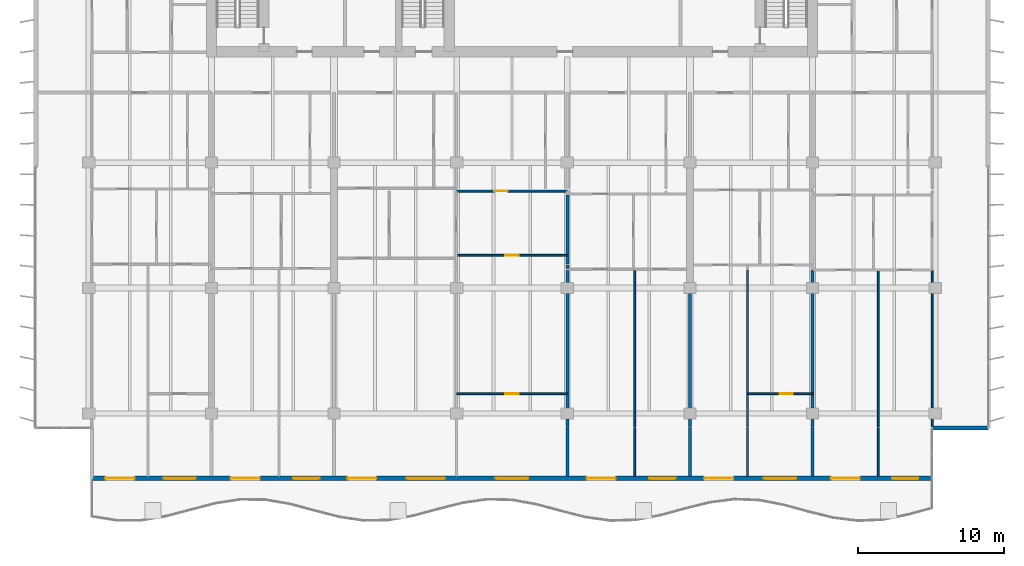
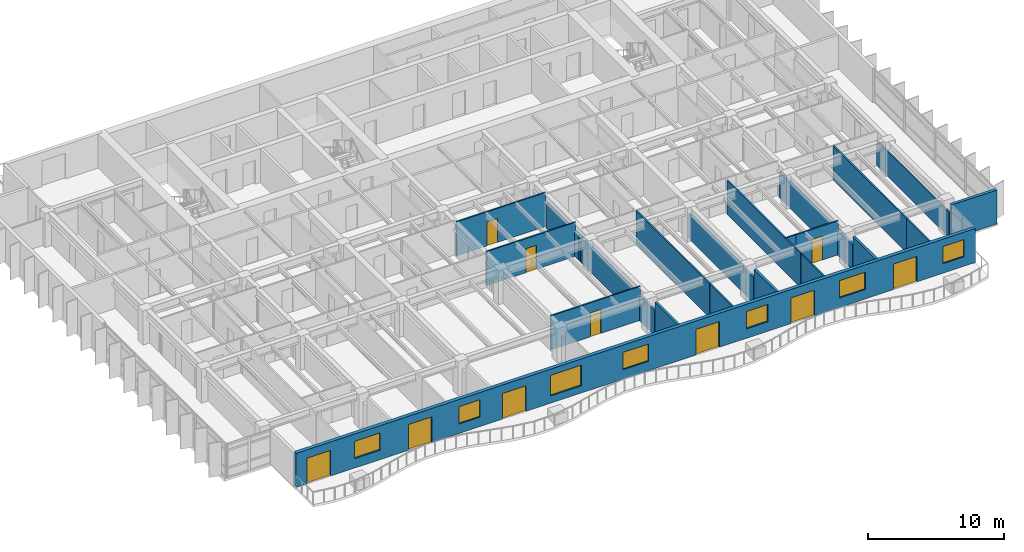
# One storey, part 10 of 19: 22 walls, 10 doors, 7 windows, 17 openings.
"""IFC4 building model written with IfcOpenShell, lengths in metres."""

from ifc_helpers import new_model, si_unit, direction, frame, frame_2d, origin, place, context, subcontext, project, spatial, rectangle, extrude, material, layer, layer_set, type_object, element, fill, save


model = new_model("IFC4")

# Units and contexts
model_context = context("Model", 3, precision=1e-05, world=origin(), true_north=direction((0.0, 1.0)))
body_context = subcontext(model_context, "Body", "Model", "MODEL_VIEW")
ifc_project = project(units=[si_unit("LENGTHUNIT", "METRE"), si_unit("AREAUNIT", "SQUARE_METRE"), si_unit("VOLUMEUNIT", "CUBIC_METRE"), si_unit("PLANEANGLEUNIT", "RADIAN"), si_unit("MASSUNIT", "GRAM", prefix="KILO")], contexts=[model_context])

# Site, building, storey
site_placement = place(None, origin())
site = spatial("IfcSite", under=ifc_project, at=site_placement, CompositionType="ELEMENT")
building_placement = place(site_placement, origin())
building = spatial("IfcBuilding", under=site, at=building_placement, Name="Caelmar Bay Residences", CompositionType="ELEMENT")
storey_placement = place(building_placement, frame((0.0, 0.0, 160.5)))
storey = spatial("IfcBuildingStorey", under=building, at=storey_placement, Name="L44", CompositionType="ELEMENT", Elevation=160.5)

# Wall
ifc_material_1 = material(Name="Precast concrete f'c 40 MPa (6,000 psi)", Category="concrete")
ifc_layer_1 = layer(ifc_material_1, 0.25)
ifc_layer_set_1 = layer_set([ifc_layer_1], Name="Precast concrete f'c 40 MPa (6,000 psi)")
wall_type_1 = type_object("IfcWallType", Name="W-EXT-250", PredefinedType="ELEMENTEDWALL", material=ifc_layer_set_1)
wall_1_placement = place(storey_placement, frame((67.699951171875, 11.199951171875, 0.0), z_axis=(0.0, 0.0, 1.0), x_axis=(1.0, 0.0, 0.0)))
element("IfcWall", 1, at=wall_1_placement, inside=storey, type_object=wall_type_1, Name="L44 SE Notch Return Wall", PredefinedType="ELEMENTEDWALL", context=body_context, shape_type="SweptSolid", body=[
    extrude(rectangle(XDim=3.85009765625, YDim=0.25, at=frame_2d((1.925048828125, 0.0))), origin(), (0.0, 0.0, 1.0), 3.050048828125),
])

# Wall, openings, doors, windows
ifc_layer_2 = layer(ifc_material_1, 0.300048828125)
ifc_layer_set_2 = layer_set([ifc_layer_2], Name="Precast concrete f'c 40 MPa (6,000 psi)")
wall_type_2 = type_object("IfcWallType", Name="W-EXT-300", PredefinedType="STANDARD", material=ifc_layer_set_2)
wall_2_placement = place(storey_placement, frame((67.699951171875, 7.75, 0.0), z_axis=(0.0, 0.0, 1.0), x_axis=(-1.0, 0.0, 0.0)))
wall_2 = element("IfcWall", 2, at=wall_2_placement, inside=storey, type_object=wall_type_2, Name="L44 South Bayfront Exterior Wall", PredefinedType="STANDARD", context=body_context, shape_type="SweptSolid", body=[
    extrude(rectangle(XDim=57.599853515625, YDim=0.300048828125, at=frame_2d((28.7998046875, 0.0))), origin(), (0.0, 0.0, 1.0), 3.050048828125),
])
opening_1_placement = place(wall_2_placement, frame((54.673095703125, 0.0, 0.0)))
opening_1 = element("IfcOpeningElement", 3, at=opening_1_placement, cuts=wall_2, Name="Opening L44-BD01", PredefinedType="OPENING", context=body_context, shape_type="SweptSolid", body=[
    extrude(rectangle(XDim=2.0, YDim=2.300048828125, at=frame_2d((1.0, 1.14990234375))), frame((0.0, 0.159912109375, 0.0), z_axis=(0.0, -1.0, 0.0), x_axis=(1.0, 0.0, 0.0)), (0.0, 0.0, 1.0), 0.320068359375),
])
opening_2_placement = place(wall_2_placement, frame((50.472900390625, 0.0, 0.85009765625)))
opening_2 = element("IfcOpeningElement", 4, at=opening_2_placement, cuts=wall_2, Name="Opening WN2", PredefinedType="OPENING", context=body_context, shape_type="SweptSolid", body=[
    extrude(rectangle(XDim=2.199951171875, YDim=1.550048828125, at=frame_2d((1.10009765625, 0.77490234375))), frame((0.0, 0.159912109375, 0.0), z_axis=(0.0, -1.0, 0.0), x_axis=(1.0, 0.0, 0.0)), (0.0, 0.0, 1.0), 0.320068359375),
])
opening_3_placement = place(wall_2_placement, frame((46.090087890625, 0.0, 0.0)))
opening_3 = element("IfcOpeningElement", 5, at=opening_3_placement, cuts=wall_2, Name="Opening L44-BD02", PredefinedType="OPENING", context=body_context, shape_type="SweptSolid", body=[
    extrude(rectangle(XDim=2.0, YDim=2.300048828125, at=frame_2d((1.0, 1.14990234375))), frame((0.0, 0.159912109375, 0.0), z_axis=(0.0, -1.0, 0.0), x_axis=(1.0, 0.0, 0.0)), (0.0, 0.0, 1.0), 0.320068359375),
])
opening_4_placement = place(wall_2_placement, frame((41.989990234375, 0.0, 0.85009765625)))
opening_4 = element("IfcOpeningElement", 6, at=opening_4_placement, cuts=wall_2, Name="Opening WN1", PredefinedType="OPENING", context=body_context, shape_type="SweptSolid", body=[
    extrude(rectangle(XDim=1.800048828125, YDim=1.550048828125, at=frame_2d((0.89990234375, 0.77490234375))), frame((0.0, 0.159912109375, 0.0), z_axis=(0.0, -1.0, 0.0), x_axis=(1.0, 0.0, 0.0)), (0.0, 0.0, 1.0), 0.320068359375),
])
opening_5_placement = place(wall_2_placement, frame((38.090087890625, 0.0, 0.0)))
opening_5 = element("IfcOpeningElement", 7, at=opening_5_placement, cuts=wall_2, Name="Opening L44-BD03", PredefinedType="OPENING", context=body_context, shape_type="SweptSolid", body=[
    extrude(rectangle(XDim=2.0, YDim=2.300048828125, at=frame_2d((1.0, 1.14990234375))), frame((0.0, 0.159912109375, 0.0), z_axis=(0.0, -1.0, 0.0), x_axis=(1.0, 0.0, 0.0)), (0.0, 0.0, 1.0), 0.320068359375),
])
opening_6_placement = place(wall_2_placement, frame((33.409912109375, 0.0, 0.64990234375)))
opening_6 = element("IfcOpeningElement", 8, at=opening_6_placement, cuts=wall_2, Name="Opening WN3", PredefinedType="OPENING", context=body_context, shape_type="SweptSolid", body=[
    extrude(rectangle(XDim=2.60009765625, YDim=1.85009765625, at=frame_2d((1.300048828125, 0.925048828125))), frame((0.0, 0.159912109375, 0.0), z_axis=(0.0, -1.0, 0.0), x_axis=(1.0, 0.0, 0.0)), (0.0, 0.0, 1.0), 0.320068359375),
])
opening_7_placement = place(wall_2_placement, frame((27.699951171875, 0.0, 0.85009765625)))
opening_7 = element("IfcOpeningElement", 9, at=opening_7_placement, cuts=wall_2, Name="Opening WN2", PredefinedType="OPENING", context=body_context, shape_type="SweptSolid", body=[
    extrude(rectangle(XDim=2.199951171875, YDim=1.550048828125, at=frame_2d((1.10009765625, 0.77490234375))), frame((0.0, 0.159912109375, 0.0), z_axis=(0.0, -1.0, 0.0), x_axis=(1.0, 0.0, 0.0)), (0.0, 0.0, 1.0), 0.320068359375),
])
opening_8_placement = place(wall_2_placement, frame((21.68994140625, 0.0, 0.0)))
opening_8 = element("IfcOpeningElement", 10, at=opening_8_placement, cuts=wall_2, Name="Opening L44-BD04", PredefinedType="OPENING", context=body_context, shape_type="SweptSolid", body=[
    extrude(rectangle(XDim=2.0, YDim=2.300048828125, at=frame_2d((1.0, 1.14990234375))), frame((0.0, 0.159912109375, 0.0), z_axis=(0.0, -1.0, 0.0), x_axis=(1.0, 0.0, 0.0)), (0.0, 0.0, 1.0), 0.320068359375),
])
opening_9_placement = place(wall_2_placement, frame((17.590087890625, 0.0, 0.85009765625)))
opening_9 = element("IfcOpeningElement", 11, at=opening_9_placement, cuts=wall_2, Name="Opening WN1", PredefinedType="OPENING", context=body_context, shape_type="SweptSolid", body=[
    extrude(rectangle(XDim=1.800048828125, YDim=1.550048828125, at=frame_2d((0.89990234375, 0.77490234375))), frame((0.0, 0.159912109375, 0.0), z_axis=(0.0, -1.0, 0.0), x_axis=(1.0, 0.0, 0.0)), (0.0, 0.0, 1.0), 0.320068359375),
])
opening_10_placement = place(wall_2_placement, frame((13.6259765625, 0.0, 0.0)))
opening_10 = element("IfcOpeningElement", 12, at=opening_10_placement, cuts=wall_2, Name="Opening L44-BD05", PredefinedType="OPENING", context=body_context, shape_type="SweptSolid", body=[
    extrude(rectangle(XDim=2.0, YDim=2.300048828125, at=frame_2d((1.0, 1.14990234375))), frame((0.0, 0.159912109375, 0.0), z_axis=(0.0, -1.0, 0.0), x_axis=(1.0, 0.0, 0.0)), (0.0, 0.0, 1.0), 0.320068359375),
])
opening_11_placement = place(wall_2_placement, frame((9.325927734375, 0.0, 0.85009765625)))
opening_11 = element("IfcOpeningElement", 13, at=opening_11_placement, cuts=wall_2, Name="Opening WN2", PredefinedType="OPENING", context=body_context, shape_type="SweptSolid", body=[
    extrude(rectangle(XDim=2.199951171875, YDim=1.550048828125, at=frame_2d((1.10009765625, 0.77490234375))), frame((0.0, 0.159912109375, 0.0), z_axis=(0.0, -1.0, 0.0), x_axis=(1.0, 0.0, 0.0)), (0.0, 0.0, 1.0), 0.320068359375),
])
opening_12_placement = place(wall_2_placement, frame((4.945068359375, 0.0, 0.0)))
opening_12 = element("IfcOpeningElement", 14, at=opening_12_placement, cuts=wall_2, Name="Opening L44-BD06", PredefinedType="OPENING", context=body_context, shape_type="SweptSolid", body=[
    extrude(rectangle(XDim=2.0, YDim=2.300048828125, at=frame_2d((1.0, 1.14990234375))), frame((0.0, 0.159912109375, 0.0), z_axis=(0.0, -1.0, 0.0), x_axis=(1.0, 0.0, 0.0)), (0.0, 0.0, 1.0), 0.320068359375),
])
opening_13_placement = place(wall_2_placement, frame((0.945068359375, 0.0, 0.85009765625)))
opening_13 = element("IfcOpeningElement", 15, at=opening_13_placement, cuts=wall_2, Name="Opening WN1", PredefinedType="OPENING", context=body_context, shape_type="SweptSolid", body=[
    extrude(rectangle(XDim=1.800048828125, YDim=1.550048828125, at=frame_2d((0.89990234375, 0.77490234375))), frame((0.0, 0.159912109375, 0.0), z_axis=(0.0, -1.0, 0.0), x_axis=(1.0, 0.0, 0.0)), (0.0, 0.0, 1.0), 0.320068359375),
])
ifc_material_2 = material(Name="Anodised bronze thermally broken sliding glass door", Category="glass")
ifc_layer_3 = layer(ifc_material_2, 0.050048828125)
ifc_layer_set_3 = layer_set([ifc_layer_3], Name="Anodised bronze thermally broken sliding glass door")
door_type_1 = type_object("IfcDoorType", Name="D-BAL-2000", OperationType="DOUBLE_DOOR_SLIDING", PredefinedType="DOOR", material=ifc_layer_set_3)
door_1_placement = place(opening_1_placement, origin())
door_1 = element("IfcDoor", 16, at=door_1_placement, inside=storey, type_object=door_type_1, Name="L44 Residence 01 Living Room Balcony Door", OperationType="DOUBLE_DOOR_SLIDING", OverallHeight=2.300048828125, OverallWidth=2.0, PredefinedType="DOOR", context=body_context, shape_type="SweptSolid", body=[
    extrude(rectangle(XDim=2.0, YDim=2.300048828125, at=frame_2d((1.0, 1.14990234375))), frame((0.0, 0.02490234375, 0.0), z_axis=(0.0, -1.0, 0.0), x_axis=(1.0, 0.0, 0.0)), (0.0, 0.0, 1.0), 0.050048828125),
])
fill(opening_1, door_1)
door_2_placement = place(opening_3_placement, origin())
door_2 = element("IfcDoor", 17, at=door_2_placement, inside=storey, type_object=door_type_1, Name="L44 Residence 02 Living Room Balcony Door", OperationType="DOUBLE_DOOR_SLIDING", OverallHeight=2.300048828125, OverallWidth=2.0, PredefinedType="DOOR", context=body_context, shape_type="SweptSolid", body=[
    extrude(rectangle(XDim=2.0, YDim=2.300048828125, at=frame_2d((1.0, 1.14990234375))), frame((0.0, 0.02490234375, 0.0), z_axis=(0.0, -1.0, 0.0), x_axis=(1.0, 0.0, 0.0)), (0.0, 0.0, 1.0), 0.050048828125),
])
fill(opening_3, door_2)
door_3_placement = place(opening_5_placement, origin())
door_3 = element("IfcDoor", 18, at=door_3_placement, inside=storey, type_object=door_type_1, Name="L44 Residence 03 Penthouse Living Salon Balcony Door", OperationType="DOUBLE_DOOR_SLIDING", OverallHeight=2.300048828125, OverallWidth=2.0, PredefinedType="DOOR", context=body_context, shape_type="SweptSolid", body=[
    extrude(rectangle(XDim=2.0, YDim=2.300048828125, at=frame_2d((1.0, 1.14990234375))), frame((0.0, 0.02490234375, 0.0), z_axis=(0.0, -1.0, 0.0), x_axis=(1.0, 0.0, 0.0)), (0.0, 0.0, 1.0), 0.050048828125),
])
fill(opening_5, door_3)
door_4_placement = place(opening_8_placement, origin())
door_4 = element("IfcDoor", 19, at=door_4_placement, inside=storey, type_object=door_type_1, Name="L44 Residence 04 Living Room Balcony Door", OperationType="DOUBLE_DOOR_SLIDING", OverallHeight=2.300048828125, OverallWidth=2.0, PredefinedType="DOOR", context=body_context, shape_type="SweptSolid", body=[
    extrude(rectangle(XDim=2.0, YDim=2.300048828125, at=frame_2d((1.0, 1.14990234375))), frame((0.0, 0.02490234375, 0.0), z_axis=(0.0, -1.0, 0.0), x_axis=(1.0, 0.0, 0.0)), (0.0, 0.0, 1.0), 0.050048828125),
])
fill(opening_8, door_4)
door_5_placement = place(opening_10_placement, origin())
door_5 = element("IfcDoor", 20, at=door_5_placement, inside=storey, type_object=door_type_1, Name="L44 Residence 05 Living Room Balcony Door", OperationType="DOUBLE_DOOR_SLIDING", OverallHeight=2.300048828125, OverallWidth=2.0, PredefinedType="DOOR", context=body_context, shape_type="SweptSolid", body=[
    extrude(rectangle(XDim=2.0, YDim=2.300048828125, at=frame_2d((1.0, 1.14990234375))), frame((0.0, 0.02490234375, 0.0), z_axis=(0.0, -1.0, 0.0), x_axis=(1.0, 0.0, 0.0)), (0.0, 0.0, 1.0), 0.050048828125),
])
fill(opening_10, door_5)
door_6_placement = place(opening_12_placement, origin())
door_6 = element("IfcDoor", 21, at=door_6_placement, inside=storey, type_object=door_type_1, Name="L44 Residence 06 Living Room Balcony Door", OperationType="DOUBLE_DOOR_SLIDING", OverallHeight=2.300048828125, OverallWidth=2.0, PredefinedType="DOOR", context=body_context, shape_type="SweptSolid", body=[
    extrude(rectangle(XDim=2.0, YDim=2.300048828125, at=frame_2d((1.0, 1.14990234375))), frame((0.0, 0.02490234375, 0.0), z_axis=(0.0, -1.0, 0.0), x_axis=(1.0, 0.0, 0.0)), (0.0, 0.0, 1.0), 0.050048828125),
])
fill(opening_12, door_6)
ifc_material_3 = material(Name="Bronze aluminium frame with laminated low-E glass", Category="aluminium")
ifc_layer_4 = layer(ifc_material_3, 0.06005859375)
ifc_layer_set_4 = layer_set([ifc_layer_4], Name="Bronze aluminium frame with laminated low-E glass")
window_type_1 = type_object("IfcWindowType", Name="WIN-BR-1800", PartitioningType="SINGLE_PANEL", PredefinedType="WINDOW", material=ifc_layer_set_4)
window_1_placement = place(opening_4_placement, origin())
window_1 = element("IfcWindow", 22, at=window_1_placement, inside=storey, type_object=window_type_1, Name="L44 Residence 02 Primary Bedroom Window", OverallHeight=1.550048828125, OverallWidth=1.800048828125, PartitioningType="SINGLE_PANEL", PredefinedType="WINDOW", context=body_context, shape_type="SweptSolid", body=[
    extrude(rectangle(XDim=1.800048828125, YDim=1.550048828125, at=frame_2d((0.89990234375, 0.77490234375))), frame((0.0, 0.030029296875, 0.0), z_axis=(0.0, -1.0, 0.0), x_axis=(1.0, 0.0, 0.0)), (0.0, 0.0, 1.0), 0.06005859375),
])
fill(opening_4, window_1)
window_2_placement = place(opening_9_placement, origin())
window_2 = element("IfcWindow", 23, at=window_2_placement, inside=storey, type_object=window_type_1, Name="L44 Residence 04 Primary Bedroom Window", OverallHeight=1.550048828125, OverallWidth=1.800048828125, PartitioningType="SINGLE_PANEL", PredefinedType="WINDOW", context=body_context, shape_type="SweptSolid", body=[
    extrude(rectangle(XDim=1.800048828125, YDim=1.550048828125, at=frame_2d((0.89990234375, 0.77490234375))), frame((0.0, 0.030029296875, 0.0), z_axis=(0.0, -1.0, 0.0), x_axis=(1.0, 0.0, 0.0)), (0.0, 0.0, 1.0), 0.06005859375),
])
fill(opening_9, window_2)
window_3_placement = place(opening_13_placement, origin())
window_3 = element("IfcWindow", 24, at=window_3_placement, inside=storey, type_object=window_type_1, Name="L44 Residence 06 Primary Bedroom Window", OverallHeight=1.550048828125, OverallWidth=1.800048828125, PartitioningType="SINGLE_PANEL", PredefinedType="WINDOW", context=body_context, shape_type="SweptSolid", body=[
    extrude(rectangle(XDim=1.800048828125, YDim=1.550048828125, at=frame_2d((0.89990234375, 0.77490234375))), frame((0.0, 0.030029296875, 0.0), z_axis=(0.0, -1.0, 0.0), x_axis=(1.0, 0.0, 0.0)), (0.0, 0.0, 1.0), 0.06005859375),
])
fill(opening_13, window_3)
ifc_layer_5 = layer(ifc_material_3, 0.06005859375)
ifc_layer_set_5 = layer_set([ifc_layer_5], Name="Bronze aluminium frame with laminated low-E glass")
window_type_2 = type_object("IfcWindowType", Name="WIN-BR-2200", PartitioningType="SINGLE_PANEL", PredefinedType="WINDOW", material=ifc_layer_set_5)
window_4_placement = place(opening_2_placement, origin())
window_4 = element("IfcWindow", 25, at=window_4_placement, inside=storey, type_object=window_type_2, Name="L44 Residence 01 Primary Bedroom Window", OverallHeight=1.550048828125, OverallWidth=2.199951171875, PartitioningType="SINGLE_PANEL", PredefinedType="WINDOW", context=body_context, shape_type="SweptSolid", body=[
    extrude(rectangle(XDim=2.199951171875, YDim=1.550048828125, at=frame_2d((1.10009765625, 0.77490234375))), frame((0.0, 0.030029296875, 0.0), z_axis=(0.0, -1.0, 0.0), x_axis=(1.0, 0.0, 0.0)), (0.0, 0.0, 1.0), 0.06005859375),
])
fill(opening_2, window_4)
window_5_placement = place(opening_7_placement, origin())
window_5 = element("IfcWindow", 26, at=window_5_placement, inside=storey, type_object=window_type_2, Name="L44 Residence 03 Primary Bedroom 1 Window", OverallHeight=1.550048828125, OverallWidth=2.199951171875, PartitioningType="SINGLE_PANEL", PredefinedType="WINDOW", context=body_context, shape_type="SweptSolid", body=[
    extrude(rectangle(XDim=2.199951171875, YDim=1.550048828125, at=frame_2d((1.10009765625, 0.77490234375))), frame((0.0, 0.030029296875, 0.0), z_axis=(0.0, -1.0, 0.0), x_axis=(1.0, 0.0, 0.0)), (0.0, 0.0, 1.0), 0.06005859375),
])
fill(opening_7, window_5)
window_6_placement = place(opening_11_placement, origin())
window_6 = element("IfcWindow", 27, at=window_6_placement, inside=storey, type_object=window_type_2, Name="L44 Residence 05 Primary Bedroom Window", OverallHeight=1.550048828125, OverallWidth=2.199951171875, PartitioningType="SINGLE_PANEL", PredefinedType="WINDOW", context=body_context, shape_type="SweptSolid", body=[
    extrude(rectangle(XDim=2.199951171875, YDim=1.550048828125, at=frame_2d((1.10009765625, 0.77490234375))), frame((0.0, 0.030029296875, 0.0), z_axis=(0.0, -1.0, 0.0), x_axis=(1.0, 0.0, 0.0)), (0.0, 0.0, 1.0), 0.06005859375),
])
fill(opening_11, window_6)
ifc_layer_6 = layer(ifc_material_3, 0.06005859375)
ifc_layer_set_6 = layer_set([ifc_layer_6], Name="Bronze aluminium frame with laminated low-E glass")
window_type_3 = type_object("IfcWindowType", Name="WIN-LIV-2600", PartitioningType="SINGLE_PANEL", PredefinedType="WINDOW", material=ifc_layer_set_6)
window_7_placement = place(opening_6_placement, origin())
window_7 = element("IfcWindow", 28, at=window_7_placement, inside=storey, type_object=window_type_3, Name="L44 Residence 03 Penthouse Living Salon Panoramic Window", OverallHeight=1.85009765625, OverallWidth=2.60009765625, PartitioningType="SINGLE_PANEL", PredefinedType="WINDOW", context=body_context, shape_type="SweptSolid", body=[
    extrude(rectangle(XDim=2.60009765625, YDim=1.85009765625, at=frame_2d((1.300048828125, 0.925048828125))), frame((0.0, 0.030029296875, 0.0), z_axis=(0.0, -1.0, 0.0), x_axis=(1.0, 0.0, 0.0)), (0.0, 0.0, 1.0), 0.06005859375),
])
fill(opening_6, window_7)

# Walls
ifc_material_4 = material(Name="Acoustic metal-stud gypsum partition 120 mm")
ifc_layer_7 = layer(ifc_material_4, 0.1201171875)
ifc_layer_set_7 = layer_set([ifc_layer_7], Name="Acoustic metal-stud gypsum partition 120 mm")
wall_type_3 = type_object("IfcWallType", Name="W-PRT-120", PredefinedType="PARTITIONING", material=ifc_layer_set_7)
wall_3_placement = place(storey_placement, frame((47.320068359375, 7.89501953125, 0.0), z_axis=(0.0, 0.0, 1.0), x_axis=(0.0, 1.0, 0.0)))
element("IfcWall", 29, at=wall_3_placement, inside=storey, type_object=wall_type_3, Name="L44 Partition Wall V060", PredefinedType="PARTITIONING", context=body_context, shape_type="SweptSolid", body=[
    extrude(rectangle(XDim=3.304931640625, YDim=0.1201171875, at=frame_2d((1.65234375, 0.0))), origin(), (0.0, 0.0, 1.0), 3.050048828125),
])
wall_4_placement = place(storey_placement, frame((47.320068359375, 11.239990234375, 0.0), z_axis=(0.0, 0.0, 1.0), x_axis=(0.0, 1.0, 0.0)))
element("IfcWall", 30, at=wall_4_placement, inside=storey, type_object=wall_type_3, Name="L44 Partition Wall V061", PredefinedType="PARTITIONING", context=body_context, shape_type="SweptSolid", body=[
    extrude(rectangle(XDim=10.7900390625, YDim=0.1201171875, at=frame_2d((5.39501953125, 0.0))), origin(), (0.0, 0.0, 1.0), 3.050048828125),
])
wall_5_placement = place(storey_placement, frame((55.048095703125, 7.89501953125, 0.0), z_axis=(0.0, 0.0, 1.0), x_axis=(0.0, 1.0, 0.0)))
element("IfcWall", 31, at=wall_5_placement, inside=storey, type_object=wall_type_3, Name="L44 Partition Wall V072", PredefinedType="PARTITIONING", context=body_context, shape_type="SweptSolid", body=[
    extrude(rectangle(XDim=3.304931640625, YDim=0.1201171875, at=frame_2d((1.65234375, 0.0))), origin(), (0.0, 0.0, 1.0), 3.050048828125),
])
wall_6_placement = place(storey_placement, frame((55.048095703125, 11.239990234375, 0.0), z_axis=(0.0, 0.0, 1.0), x_axis=(0.0, 1.0, 0.0)))
element("IfcWall", 32, at=wall_6_placement, inside=storey, type_object=wall_type_3, Name="L44 Partition Wall V073", PredefinedType="PARTITIONING", context=body_context, shape_type="SweptSolid", body=[
    extrude(rectangle(XDim=10.7900390625, YDim=0.1201171875, at=frame_2d((5.39501953125, 0.0))), origin(), (0.0, 0.0, 1.0), 3.050048828125),
])
wall_7_placement = place(storey_placement, frame((64.010009765625, 7.89501953125, 0.0), z_axis=(0.0, 0.0, 1.0), x_axis=(0.0, 1.0, 0.0)))
element("IfcWall", 33, at=wall_7_placement, inside=storey, type_object=wall_type_3, Name="L44 Partition Wall V088", PredefinedType="PARTITIONING", context=body_context, shape_type="SweptSolid", body=[
    extrude(rectangle(XDim=3.304931640625, YDim=0.1201171875, at=frame_2d((1.65234375, 0.0))), origin(), (0.0, 0.0, 1.0), 3.050048828125),
])
wall_8_placement = place(storey_placement, frame((64.010009765625, 11.239990234375, 0.0), z_axis=(0.0, 0.0, 1.0), x_axis=(0.0, 1.0, 0.0)))
element("IfcWall", 34, at=wall_8_placement, inside=storey, type_object=wall_type_3, Name="L44 Partition Wall V089", PredefinedType="PARTITIONING", context=body_context, shape_type="SweptSolid", body=[
    extrude(rectangle(XDim=10.7900390625, YDim=0.1201171875, at=frame_2d((5.39501953125, 0.0))), origin(), (0.0, 0.0, 1.0), 3.050048828125),
])
wall_9_placement = place(storey_placement, frame((67.699951171875, 11.320068359375, 0.0), z_axis=(0.0, 0.0, 1.0), x_axis=(0.0, 1.0, 0.0)))
element("IfcWall", 35, at=wall_9_placement, inside=storey, type_object=wall_type_3, Name="L44 Partition Wall V093", PredefinedType="PARTITIONING", context=body_context, shape_type="SweptSolid", body=[
    extrude(rectangle(XDim=10.7099609375, YDim=0.1201171875, at=frame_2d((5.35498046875, 0.0))), origin(), (0.0, 0.0, 1.0), 2.262939453125),
])

# Wall, opening, door
wall_10_placement = place(storey_placement, frame((35.10009765625, 13.550048828125, 0.0), z_axis=(0.0, 0.0, 1.0), x_axis=(1.0, 0.0, 0.0)))
wall_10 = element("IfcWall", 36, at=wall_10_placement, inside=storey, type_object=wall_type_3, Name="L44 Partition Wall H102", PredefinedType="PARTITIONING", context=body_context, shape_type="SweptSolid", body=[
    extrude(rectangle(XDim=7.599853515625, YDim=0.1201171875, at=frame_2d((3.7998046875, 0.0))), origin(), (0.0, 0.0, 1.0), 3.050048828125),
])
opening_14_placement = place(wall_10_placement, frame((3.35009765625, 0.0, 0.0)))
opening_14 = element("IfcOpeningElement", 37, at=opening_14_placement, cuts=wall_10, Name="Opening D-L44-144", PredefinedType="OPENING", context=body_context, shape_type="SweptSolid", body=[
    extrude(rectangle(XDim=0.89990234375, YDim=2.14990234375, at=frame_2d((0.449951171875, 1.074951171875))), frame((0.0, 0.070068359375, 0.0), z_axis=(0.0, -1.0, 0.0), x_axis=(1.0, 0.0, 0.0)), (0.0, 0.0, 1.0), 0.14013671875),
])
ifc_material_5 = material(Name="Solid walnut timber interior door leaf and frame", Category="wood")
ifc_layer_8 = layer(ifc_material_5, 0.050048828125)
ifc_layer_set_8 = layer_set([ifc_layer_8], Name="Solid walnut timber interior door leaf and frame")
door_type_2 = type_object("IfcDoorType", Name="D-ROOM-900", OperationType="NOTDEFINED", PredefinedType="DOOR", material=ifc_layer_set_8)
door_7_placement = place(opening_14_placement, origin())
door_7 = element("IfcDoor", 38, at=door_7_placement, inside=storey, type_object=door_type_2, Name="L44 Residence 03 Primary Bedroom 1 Door", OperationType="SINGLE_SWING_LEFT", OverallHeight=2.14990234375, OverallWidth=0.89990234375, PredefinedType="DOOR", context=body_context, shape_type="SweptSolid", body=[
    extrude(rectangle(XDim=0.89990234375, YDim=2.14990234375, at=frame_2d((0.449951171875, 1.074951171875))), frame((0.0, 0.02490234375, 0.0), z_axis=(0.0, -1.0, 0.0), x_axis=(1.0, 0.0, 0.0)), (0.0, 0.0, 1.0), 0.050048828125),
])
fill(opening_14, door_7)

# Wall
wall_11_placement = place(storey_placement, frame((55.048095703125, 13.550048828125, 0.0), z_axis=(0.0, 0.0, 1.0), x_axis=(1.0, 0.0, 0.0)))
element("IfcWall", 39, at=wall_11_placement, inside=storey, type_object=wall_type_3, Name="L44 Partition Wall H103", PredefinedType="PARTITIONING", context=body_context, shape_type="SweptSolid", body=[
    extrude(rectangle(XDim=0.837890625, YDim=0.1201171875, at=frame_2d((0.4189453125, 0.0))), origin(), (0.0, 0.0, 1.0), 3.050048828125),
])

# Wall, opening, door
wall_12_placement = place(storey_placement, frame((55.89990234375, 13.550048828125, 0.0), z_axis=(0.0, 0.0, 1.0), x_axis=(1.0, 0.0, 0.0)))
wall_12 = element("IfcWall", 40, at=wall_12_placement, inside=storey, type_object=wall_type_3, Name="L44 Partition Wall H104", PredefinedType="PARTITIONING", context=body_context, shape_type="SweptSolid", body=[
    extrude(rectangle(XDim=3.60009765625, YDim=0.1201171875, at=frame_2d((1.800048828125, 0.0))), origin(), (0.0, 0.0, 1.0), 3.050048828125),
])
opening_15_placement = place(wall_12_placement, frame((1.35009765625, 0.0, 0.0)))
opening_15 = element("IfcOpeningElement", 41, at=opening_15_placement, cuts=wall_12, Name="Opening D-L44-157", PredefinedType="OPENING", context=body_context, shape_type="SweptSolid", body=[
    extrude(rectangle(XDim=0.89990234375, YDim=2.14990234375, at=frame_2d((0.449951171875, 1.074951171875))), frame((0.0, 0.070068359375, 0.0), z_axis=(0.0, -1.0, 0.0), x_axis=(1.0, 0.0, 0.0)), (0.0, 0.0, 1.0), 0.14013671875),
])
door_8_placement = place(opening_15_placement, origin())
door_8 = element("IfcDoor", 42, at=door_8_placement, inside=storey, type_object=door_type_2, Name="L44 Residence 05 Primary Bedroom Door", OperationType="SINGLE_SWING_RIGHT", OverallHeight=2.14990234375, OverallWidth=0.89990234375, PredefinedType="DOOR", context=body_context, shape_type="SweptSolid", body=[
    extrude(rectangle(XDim=0.89990234375, YDim=2.14990234375, at=frame_2d((0.449951171875, 1.074951171875))), frame((0.0, 0.02490234375, 0.0), z_axis=(0.0, -1.0, 0.0), x_axis=(1.0, 0.0, 0.0)), (0.0, 0.0, 1.0), 0.050048828125),
])
fill(opening_15, door_8)

wall_13_placement = place(storey_placement, frame((35.10498046875, 23.0400390625, 0.0), z_axis=(0.0, 0.0, 1.0), x_axis=(1.0, 0.0, 0.0)))
wall_13 = element("IfcWall", 43, at=wall_13_placement, inside=storey, type_object=wall_type_3, Name="L44 Partition Wall H112", PredefinedType="PARTITIONING", context=body_context, shape_type="SweptSolid", body=[
    extrude(rectangle(XDim=7.594970703125, YDim=0.1201171875, at=frame_2d((3.79736328125, 0.0))), origin(), (0.0, 0.0, 1.0), 3.050048828125),
])
opening_16_placement = place(wall_13_placement, frame((3.347412109375, 0.0, 0.0)))
opening_16 = element("IfcOpeningElement", 44, at=opening_16_placement, cuts=wall_13, Name="Opening D-L44-143", PredefinedType="OPENING", context=body_context, shape_type="SweptSolid", body=[
    extrude(rectangle(XDim=0.89990234375, YDim=2.14990234375, at=frame_2d((0.449951171875, 1.074951171875))), frame((0.0, 0.070068359375, 0.0), z_axis=(0.0, -1.0, 0.0), x_axis=(1.0, 0.0, 0.0)), (0.0, 0.0, 1.0), 0.14013671875),
])
door_9_placement = place(opening_16_placement, origin())
door_9 = element("IfcDoor", 45, at=door_9_placement, inside=storey, type_object=door_type_2, Name="L44 Residence 03 Penthouse Sitting Salon 1 Door", OperationType="SINGLE_SWING_RIGHT", OverallHeight=2.14990234375, OverallWidth=0.89990234375, PredefinedType="DOOR", context=body_context, shape_type="SweptSolid", body=[
    extrude(rectangle(XDim=0.89990234375, YDim=2.14990234375, at=frame_2d((0.449951171875, 1.074951171875))), frame((0.0, 0.02490234375, 0.0), z_axis=(0.0, -1.0, 0.0), x_axis=(1.0, 0.0, 0.0)), (0.0, 0.0, 1.0), 0.050048828125),
])
fill(opening_16, door_9)

wall_14_placement = place(storey_placement, frame((35.10009765625, 27.43994140625, 0.0), z_axis=(0.0, 0.0, 1.0), x_axis=(1.0, 0.0, 0.0)))
wall_14 = element("IfcWall", 46, at=wall_14_placement, inside=storey, type_object=wall_type_3, Name="L44 Partition Wall H116", PredefinedType="PARTITIONING", context=body_context, shape_type="SweptSolid", body=[
    extrude(rectangle(XDim=7.599853515625, YDim=0.1201171875, at=frame_2d((3.7998046875, 0.0))), origin(), (0.0, 0.0, 1.0), 3.050048828125),
])
opening_17_placement = place(wall_14_placement, frame((2.60009765625, 0.0, 0.0)))
opening_17 = element("IfcOpeningElement", 47, at=opening_17_placement, cuts=wall_14, Name="Opening D-L44-141", PredefinedType="OPENING", context=body_context, shape_type="SweptSolid", body=[
    extrude(rectangle(XDim=0.89990234375, YDim=2.14990234375, at=frame_2d((0.449951171875, 1.074951171875))), frame((0.0, 0.070068359375, 0.0), z_axis=(0.0, -1.0, 0.0), x_axis=(1.0, 0.0, 0.0)), (0.0, 0.0, 1.0), 0.14013671875),
])
door_10_placement = place(opening_17_placement, origin())
door_10 = element("IfcDoor", 48, at=door_10_placement, inside=storey, type_object=door_type_2, Name="L44 Residence 03 Sitting Room 1 Door", OperationType="SINGLE_SWING_RIGHT", OverallHeight=2.14990234375, OverallWidth=0.89990234375, PredefinedType="DOOR", context=body_context, shape_type="SweptSolid", body=[
    extrude(rectangle(XDim=0.89990234375, YDim=2.14990234375, at=frame_2d((0.449951171875, 1.074951171875))), frame((0.0, 0.02490234375, 0.0), z_axis=(0.0, -1.0, 0.0), x_axis=(1.0, 0.0, 0.0)), (0.0, 0.0, 1.0), 0.050048828125),
])
fill(opening_17, door_10)

# Walls
ifc_material_6 = material(Name="Acoustic twin-stud fire-rated inter-tenancy partition 200 mm")
ifc_layer_9 = layer(ifc_material_6, 0.199951171875)
ifc_layer_set_9 = layer_set([ifc_layer_9], Name="Acoustic twin-stud fire-rated inter-tenancy partition 200 mm")
wall_type_4 = type_object("IfcWallType", Name="W-PTY-200", PredefinedType="PARTITIONING", material=ifc_layer_set_9)
wall_15_placement = place(storey_placement, frame((42.699951171875, 7.89501953125, 0.0), z_axis=(0.0, 0.0, 1.0), x_axis=(0.0, 1.0, 0.0)))
element("IfcWall", 49, at=wall_15_placement, inside=storey, type_object=wall_type_4, Name="L44 Partition Wall V049", PredefinedType="PARTITIONING", context=body_context, shape_type="SweptSolid", body=[
    extrude(rectangle(XDim=3.304931640625, YDim=0.199951171875, at=frame_2d((1.65234375, 0.0))), origin(), (0.0, 0.0, 1.0), 3.050048828125),
])
wall_16_placement = place(storey_placement, frame((42.699951171875, 11.239990234375, 0.0), z_axis=(0.0, 0.0, 1.0), x_axis=(0.0, 1.0, 0.0)))
element("IfcWall", 50, at=wall_16_placement, inside=storey, type_object=wall_type_4, Name="L44 Partition Wall V050", PredefinedType="PARTITIONING", context=body_context, shape_type="SweptSolid", body=[
    extrude(rectangle(XDim=10.7900390625, YDim=0.199951171875, at=frame_2d((5.39501953125, 0.0))), origin(), (0.0, 0.0, 1.0), 2.262939453125),
])
wall_17_placement = place(storey_placement, frame((42.699951171875, 22.1298828125, 0.0), z_axis=(0.0, 0.0, 1.0), x_axis=(0.0, 1.0, 0.0)))
element("IfcWall", 51, at=wall_17_placement, inside=storey, type_object=wall_type_4, Name="L44 Partition Wall V051", PredefinedType="PARTITIONING", context=body_context, shape_type="SweptSolid", body=[
    extrude(rectangle(XDim=0.240234375, YDim=0.199951171875, at=frame_2d((0.1201171875, 0.0))), origin(), (0.0, 0.0, 1.0), 2.262939453125),
])
wall_18_placement = place(storey_placement, frame((42.699951171875, 22.429931640625, 0.0), z_axis=(0.0, 0.0, 1.0), x_axis=(0.0, 1.0, 0.0)))
element("IfcWall", 52, at=wall_18_placement, inside=storey, type_object=wall_type_4, Name="L44 Partition Wall V052", PredefinedType="PARTITIONING", context=body_context, shape_type="SweptSolid", body=[
    extrude(rectangle(XDim=4.75, YDim=0.199951171875, at=frame_2d((2.375, 0.0))), origin(), (0.0, 0.0, 1.0), 2.262939453125),
])
wall_19_placement = place(storey_placement, frame((51.10009765625, 7.89501953125, 0.0), z_axis=(0.0, 0.0, 1.0), x_axis=(0.0, 1.0, 0.0)))
element("IfcWall", 53, at=wall_19_placement, inside=storey, type_object=wall_type_4, Name="L44 Partition Wall V068", PredefinedType="PARTITIONING", context=body_context, shape_type="SweptSolid", body=[
    extrude(rectangle(XDim=3.304931640625, YDim=0.199951171875, at=frame_2d((1.65234375, 0.0))), origin(), (0.0, 0.0, 1.0), 3.050048828125),
])
wall_20_placement = place(storey_placement, frame((51.10009765625, 11.239990234375, 0.0), z_axis=(0.0, 0.0, 1.0), x_axis=(0.0, 1.0, 0.0)))
element("IfcWall", 54, at=wall_20_placement, inside=storey, type_object=wall_type_4, Name="L44 Partition Wall V069", PredefinedType="PARTITIONING", context=body_context, shape_type="SweptSolid", body=[
    extrude(rectangle(XDim=9.554931640625, YDim=0.199951171875, at=frame_2d((4.77734375, 0.0))), origin(), (0.0, 0.0, 1.0), 2.262939453125),
])
wall_21_placement = place(storey_placement, frame((59.5, 7.89501953125, 0.0), z_axis=(0.0, 0.0, 1.0), x_axis=(0.0, 1.0, 0.0)))
element("IfcWall", 55, at=wall_21_placement, inside=storey, type_object=wall_type_4, Name="L44 Partition Wall V079", PredefinedType="PARTITIONING", context=body_context, shape_type="SweptSolid", body=[
    extrude(rectangle(XDim=3.304931640625, YDim=0.199951171875, at=frame_2d((1.65234375, 0.0))), origin(), (0.0, 0.0, 1.0), 3.050048828125),
])
wall_22_placement = place(storey_placement, frame((59.5, 11.239990234375, 0.0), z_axis=(0.0, 0.0, 1.0), x_axis=(0.0, 1.0, 0.0)))
element("IfcWall", 56, at=wall_22_placement, inside=storey, type_object=wall_type_4, Name="L44 Partition Wall V080", PredefinedType="PARTITIONING", context=body_context, shape_type="SweptSolid", body=[
    extrude(rectangle(XDim=10.7900390625, YDim=0.199951171875, at=frame_2d((5.39501953125, 0.0))), origin(), (0.0, 0.0, 1.0), 2.262939453125),
])

save(model, "model.ifc")
